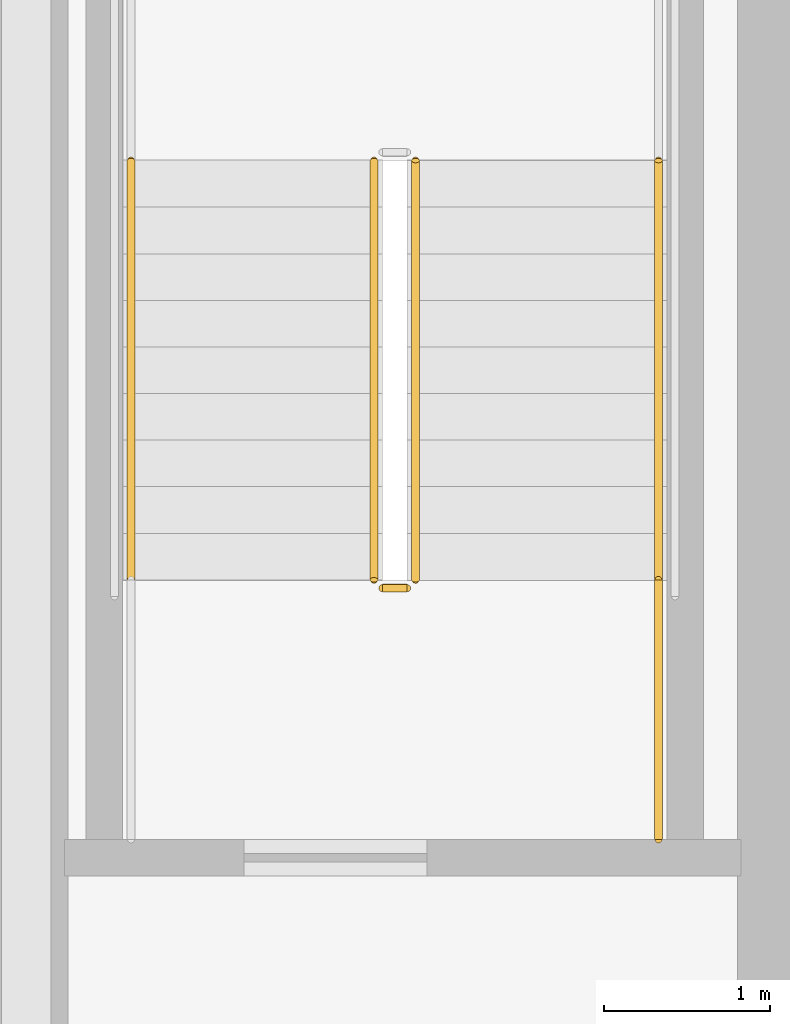
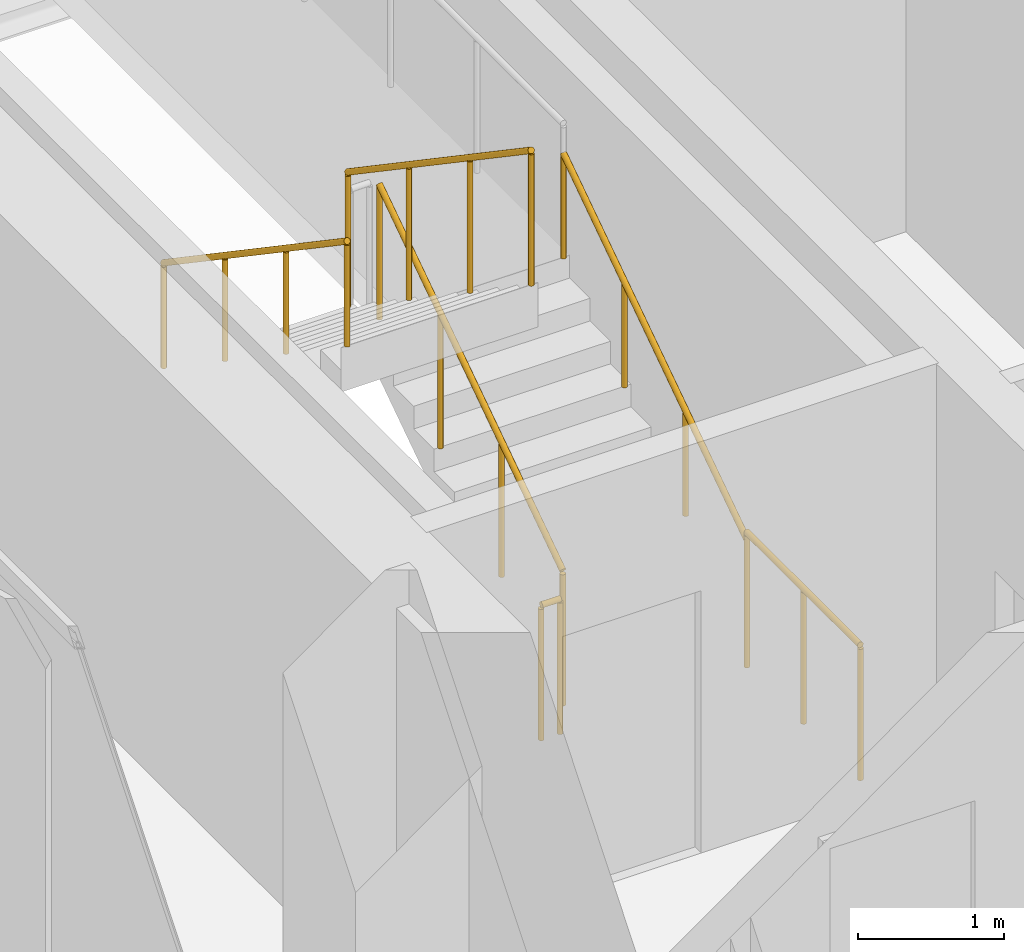
# One storey, part 14 of 17: 6 railings.
"""IFC4 building model written with IfcOpenShell, lengths in metres."""

import ifcopenshell
import ifcopenshell.guid

model = None  # the IFC model being written
_history = None  # IfcOwnerHistory: only IFC2X3 demands one
_inside = {}  # id of a spatial element -> (the spatial element, [elements in it])
_under = {}  # id of a project, library or spatial element -> (it, [spatial elements below it])
_declared = {}  # id of a project -> (the project, [libraries it declares])
_typed = {}  # id of a type object -> (the type object, [elements of that type])
_made_of = {}  # id of a material, layer set ... -> (it, [elements and type objects made of it])


def new_model(schema):
    """Start an empty IFC model of exactly this schema.

    Asked for "IFC4X3", IfcOpenShell would pick the latest addendum, in which some entities
    have other attributes; the version numbers below select the first issue.
    IFC2X3 requires an IfcOwnerHistory on every rooted entity: one is made here for all.
    """
    global model, _history
    if schema == "IFC4X3":
        model = ifcopenshell.file(schema_version=(4, 3, 0, 0))
    else:
        model = ifcopenshell.file(schema=schema)
    _inside.clear()
    _under.clear()
    _declared.clear()
    _typed.clear()
    _made_of.clear()
    _history = None
    if model.schema == "IFC2X3":
        org = make("IfcOrganization", Name="unknown")
        user = make(
            "IfcPersonAndOrganization",
            ThePerson=make("IfcPerson", FamilyName="unknown"),
            TheOrganization=org,
        )
        app = make(
            "IfcApplication",
            ApplicationDeveloper=org,
            Version="unknown",
            ApplicationFullName="unknown",
            ApplicationIdentifier="unknown",
        )
        _history = make(
            "IfcOwnerHistory",
            OwningUser=user,
            OwningApplication=app,
            ChangeAction="ADDED",
            CreationDate=0,
        )
    return model


def make(cls, **values):
    """One entity of the class cls with the attributes given. An attribute that is None is left unset."""
    return model.create_entity(
        cls, **{name: value for name, value in values.items() if value is not None}
    )


def rooted(cls, **values):
    """An entity with a GlobalId (a new one), such as an element, a storey or a relation."""
    return make(cls, GlobalId=ifcopenshell.guid.new(), OwnerHistory=_history, **values)


def si_unit(unit_type, name, prefix=None):
    """IfcSIUnit, for example si_unit("LENGTHUNIT", "METRE", prefix="MILLI")."""
    return make("IfcSIUnit", UnitType=unit_type, Prefix=prefix, Name=name)


def assignment(units):
    """IfcUnitAssignment: the units of a project."""
    return None if units is None else make("IfcUnitAssignment", Units=units)


def point(xyz):
    """IfcCartesianPoint."""
    return None if xyz is None else make("IfcCartesianPoint", Coordinates=xyz)


def direction(xyz):
    """IfcDirection."""
    return None if xyz is None else make("IfcDirection", DirectionRatios=xyz)


def frame(location, z_axis=None, x_axis=None):
    """IfcAxis2Placement3D, a coordinate frame: its origin and axes. An axis left out is left unset."""
    return make(
        "IfcAxis2Placement3D",
        Location=point(location),
        Axis=direction(z_axis),
        RefDirection=direction(x_axis),
    )


def frame_2d(location, x_axis=None):
    """IfcAxis2Placement2D, a coordinate frame in the plane: its origin and x axis."""
    return make(
        "IfcAxis2Placement2D", Location=point(location), RefDirection=direction(x_axis)
    )


def origin():
    """The frame at (0, 0, 0) with its axes left unset."""
    return frame((0.0, 0.0, 0.0))


def origin_2d():
    """The frame at (0, 0) in the plane with its x axis left unset."""
    return frame_2d((0.0, 0.0))


def place(relative_to, where):
    """IfcLocalPlacement: puts the frame where relative to a parent placement (None: the world)."""
    return make(
        "IfcLocalPlacement", PlacementRelTo=relative_to, RelativePlacement=where
    )


def context(
    kind, dimensions, precision=None, world=None, true_north=None, identifier=None
):
    """IfcGeometricRepresentationContext, for example the 3D "Model" context."""
    return make(
        "IfcGeometricRepresentationContext",
        ContextIdentifier=identifier,
        ContextType=kind,
        CoordinateSpaceDimension=dimensions,
        Precision=precision,
        WorldCoordinateSystem=world,
        TrueNorth=true_north,
    )


def subcontext(parent, identifier, kind, view, scale=None):
    """IfcGeometricRepresentationSubContext, for example "Body" below "Model"."""
    return make(
        "IfcGeometricRepresentationSubContext",
        ContextIdentifier=identifier,
        ContextType=kind,
        ParentContext=parent,
        TargetScale=scale,
        TargetView=view,
    )


def project(units=None, contexts=None):
    """IfcProject with its units and contexts."""
    return rooted(
        "IfcProject",
        Name="project",
        RepresentationContexts=contexts,
        UnitsInContext=assignment(units),
    )


def spatial(cls, under=None, at=None, **own):
    """A site, building, storey or space (cls), placed at a placement, below another one or the project."""
    s = rooted(cls, ObjectPlacement=at, **own)
    if under is not None:
        _under.setdefault(under.id(), (under, []))[1].append(s)
    return s


def profile(cls, at=None, kind="AREA", **sizes):
    """A parametric profile (cls). Its sizes go by their IFC names, for example OverallWidth=200.0."""
    return make(cls, ProfileType=kind, Position=at, **sizes)


def circle(**sizes):
    """IfcCircleProfileDef."""
    return profile("IfcCircleProfileDef", **sizes)


def extrude(swept, where, along, depth):
    """IfcExtrudedAreaSolid: the profile swept, set in the frame where, extruded along a direction by depth."""
    return make(
        "IfcExtrudedAreaSolid",
        SweptArea=swept,
        Position=where,
        ExtrudedDirection=direction(along),
        Depth=depth,
    )


def shape(context_of_items, identifier, shape_type, items):
    """IfcShapeRepresentation: the items that make up one representation, for example the "Body"."""
    return make(
        "IfcShapeRepresentation",
        ContextOfItems=context_of_items,
        RepresentationIdentifier=identifier,
        RepresentationType=shape_type,
        Items=items,
    )


def material(Name=None, Category=None):
    """IfcMaterial."""
    return make("IfcMaterial", Name=Name, Category=Category)


def made_of(thing, what):
    """Note that an element or type object is made of a material, layer set ...; save() writes the relation."""
    if what is not None:
        _made_of.setdefault(what.id(), (what, []))[1].append(thing)
    return thing


def type_object(cls, material=None, **own):
    """A type object (cls), such as IfcWallType, which elements share."""
    return made_of(rooted(cls, **own), material)


def element(
    cls,
    number,
    at=None,
    inside=None,
    cuts=None,
    type_object=None,
    material=None,
    context=None,
    identifier="Body",
    shape_type=None,
    held_by="IfcProductDefinitionShape",
    body=None,
    shapes=None,
    **own,
):
    """One element of the class cls, such as IfcWall. Its Tag is "e" and its number.

    at: its placement. inside: the storey or other place that contains it. cuts: it is an
    opening in that element (IfcRelVoidsElement). A single representation is given by context,
    identifier, shape_type and body (its items); several are given by shapes. held_by: the class
    of the entity that holds the representations. save() writes the other relations.
    """
    e = rooted(cls, Tag="e%d" % number, ObjectPlacement=at, **own)
    if body is not None:
        shapes = [shape(context, identifier, shape_type, body)]
    if shapes is not None:
        e.Representation = make(held_by, Representations=shapes)
    if inside is not None:
        _inside.setdefault(inside.id(), (inside, []))[1].append(e)
    if cuts is not None:
        rooted(
            "IfcRelVoidsElement", RelatingBuildingElement=cuts, RelatedOpeningElement=e
        )
    if type_object is not None:
        _typed.setdefault(type_object.id(), (type_object, []))[1].append(e)
    return made_of(e, material)


def aggregate(whole, parts):
    """IfcRelAggregates: a whole, such as a stair, and the parts it consists of."""
    return rooted("IfcRelAggregates", RelatingObject=whole, RelatedObjects=parts)


def save(model, path):
    """Write the relations noted so far, then the file.

    IfcRelAggregates (storeys below a building ...), IfcRelContainedInSpatialStructure (elements
    in a storey), IfcRelDefinesByType, IfcRelAssociatesMaterial and IfcRelDeclares: one each for
    every whole, place, type object, material and project.
    """
    for whole, parts in _under.values():
        aggregate(whole, parts)
    for where, things in _inside.values():
        rooted(
            "IfcRelContainedInSpatialStructure",
            RelatedElements=things,
            RelatingStructure=where,
        )
    for kind, things in _typed.values():
        rooted("IfcRelDefinesByType", RelatedObjects=things, RelatingType=kind)
    for what, things in _made_of.values():
        rooted("IfcRelAssociatesMaterial", RelatedObjects=things, RelatingMaterial=what)
    for by, libraries in _declared.values():
        rooted("IfcRelDeclares", RelatingContext=by, RelatedDefinitions=libraries)
    model.write(path)


model = new_model("IFC4")

# Units and contexts
model_context = context("Model", 3, precision=1e-05, world=origin(), true_north=direction((0.0, 1.0)))
body_context = subcontext(model_context, "Body", "Model", "MODEL_VIEW")
ifc_project = project(units=[si_unit("LENGTHUNIT", "METRE"), si_unit("AREAUNIT", "SQUARE_METRE"), si_unit("VOLUMEUNIT", "CUBIC_METRE"), si_unit("PLANEANGLEUNIT", "RADIAN"), si_unit("MASSUNIT", "GRAM", prefix="KILO")], contexts=[model_context])

# Site, building, storey
site_placement = place(None, origin())
site = spatial("IfcSite", under=ifc_project, at=site_placement, CompositionType="ELEMENT")
building_placement = place(site_placement, origin())
building = spatial("IfcBuilding", under=site, at=building_placement, Name="Khairoan Windgate Tower", CompositionType="ELEMENT")
storey_placement = place(building_placement, frame((0.0, 0.0, 210.60009765625)))
storey = spatial("IfcBuildingStorey", under=building, at=storey_placement, Name="L49", CompositionType="ELEMENT", Elevation=210.60009765625)

# Railings
ifc_material_1 = material(Name="Anodised Bronze Aluminium 6063-T6", Category="aluminium")
railing_type_1 = type_object("IfcRailingType", Name="Stair Wall Handrail SHR-900", PredefinedType="HANDRAIL", material=ifc_material_1)
railing_1_placement = place(storey_placement, frame((-16.199951171875, 2.9599609375, 0.18994140625)))
element("IfcRailing", 1, at=railing_1_placement, inside=storey, type_object=railing_type_1, Name="L49 ST2 stair handrail 1", PredefinedType="HANDRAIL", context=body_context, shape_type="SweptSolid", body=[
    extrude(circle(Radius=0.02392578125, at=origin_2d()), frame((0.0, 0.0, 0.8759765625), z_axis=(0.0, 0.827483756001, 0.561489655786), x_axis=(-1.0, 0.0, 0.0)), (0.0, 0.0, 1.0), 3.04541015625),
    extrude(circle(Radius=0.02099609375, at=origin_2d()), origin(), (0.0, 0.0, 1.0), 0.851806640625),
    extrude(circle(Radius=0.02099609375, at=origin_2d()), frame((0.0, 0.840087890625, 0.570068359375)), (0.0, 0.0, 1.0), 0.851806640625),
    extrude(circle(Radius=0.02099609375, at=origin_2d()), frame((0.0, 1.679931640625, 1.139892578125)), (0.0, 0.0, 1.0), 0.851806640625),
    extrude(circle(Radius=0.02099609375, at=origin_2d()), frame((0.0, 2.52001953125, 1.7099609375)), (0.0, 0.0, 1.0), 0.851806640625),
])
railing_2_placement = place(storey_placement, frame((-19.3701171875, 5.47998046875, 2.08984375)))
element("IfcRailing", 2, at=railing_2_placement, inside=storey, type_object=railing_type_1, Name="L49 ST2 stair handrail 2", PredefinedType="HANDRAIL", context=body_context, shape_type="SweptSolid", body=[
    extrude(circle(Radius=0.02392578125, at=origin_2d()), frame((0.0, 0.0, 0.8759765625), z_axis=(0.0, -0.827483756001, 0.561489655786), x_axis=(1.0, 0.0, 0.0)), (0.0, 0.0, 1.0), 3.04541015625),
    extrude(circle(Radius=0.02099609375, at=origin_2d()), origin(), (0.0, 0.0, 1.0), 0.851806640625),
    extrude(circle(Radius=0.02099609375, at=origin_2d()), frame((0.0, -0.840087890625, 0.570068359375)), (0.0, 0.0, 1.0), 0.851806640625),
    extrude(circle(Radius=0.02099609375, at=origin_2d()), frame((0.0, -1.679931640625, 1.139892578125)), (0.0, 0.0, 1.0), 0.851806640625),
    extrude(circle(Radius=0.02099609375, at=origin_2d()), frame((0.0, -2.52001953125, 1.7099609375)), (0.0, 0.0, 1.0), 0.851806640625),
])
ifc_material_2 = material(Name="Steel S355", Category="steel")
railing_type_2 = type_object("IfcRailingType", Name="Stairwell Safety Guardrail SGR-1150", PredefinedType="GUARDRAIL", material=ifc_material_2)
railing_3_placement = place(storey_placement, frame((-17.659912109375, 2.9599609375, 0.18994140625)))
element("IfcRailing", 3, at=railing_3_placement, inside=storey, type_object=railing_type_2, Name="L49 ST2 stair guard 1", PredefinedType="GUARDRAIL", context=body_context, shape_type="SweptSolid", body=[
    extrude(circle(Radius=0.02392578125, at=origin_2d()), frame((0.0, 0.0, 1.1259765625), z_axis=(0.0, 0.827483756001, 0.561489655786), x_axis=(-1.0, 0.0, 0.0)), (0.0, 0.0, 1.0), 3.04541015625),
    extrude(circle(Radius=0.02099609375, at=origin_2d()), origin(), (0.0, 0.0, 1.0), 1.101806640625),
    extrude(circle(Radius=0.02099609375, at=origin_2d()), frame((0.0, 0.840087890625, 0.570068359375)), (0.0, 0.0, 1.0), 1.101806640625),
    extrude(circle(Radius=0.02099609375, at=origin_2d()), frame((0.0, 1.679931640625, 1.139892578125)), (0.0, 0.0, 1.0), 1.101806640625),
    extrude(circle(Radius=0.02099609375, at=origin_2d()), frame((0.0, 2.52001953125, 1.7099609375)), (0.0, 0.0, 1.0), 1.101806640625),
])
railing_4_placement = place(storey_placement, frame((-17.909912109375, 5.47998046875, 2.08984375)))
element("IfcRailing", 4, at=railing_4_placement, inside=storey, type_object=railing_type_2, Name="L49 ST2 stair guard 6", PredefinedType="GUARDRAIL", context=body_context, shape_type="SweptSolid", body=[
    extrude(circle(Radius=0.02392578125, at=origin_2d()), frame((0.0, 0.0, 1.1259765625), z_axis=(0.0, -0.827483756001, 0.561489655786), x_axis=(1.0, 0.0, 0.0)), (0.0, 0.0, 1.0), 3.04541015625),
    extrude(circle(Radius=0.02099609375, at=origin_2d()), origin(), (0.0, 0.0, 1.0), 1.101806640625),
    extrude(circle(Radius=0.02099609375, at=origin_2d()), frame((0.0, -0.840087890625, 0.570068359375)), (0.0, 0.0, 1.0), 1.101806640625),
    extrude(circle(Radius=0.02099609375, at=origin_2d()), frame((0.0, -1.679931640625, 1.139892578125)), (0.0, 0.0, 1.0), 1.101806640625),
    extrude(circle(Radius=0.02099609375, at=origin_2d()), frame((0.0, -2.52001953125, 1.7099609375)), (0.0, 0.0, 1.0), 1.101806640625),
])
railing_5_placement = place(storey_placement, frame((-17.7099609375, 2.909912109375, 0.0)))
element("IfcRailing", 5, at=railing_5_placement, inside=storey, type_object=railing_type_2, Name="L49 ST2 stair guard 7", PredefinedType="GUARDRAIL", context=body_context, shape_type="SweptSolid", body=[
    extrude(circle(Radius=0.02392578125, at=origin_2d()), frame((0.0, 0.0, 1.1259765625), z_axis=(-1.0, 0.0, 0.0), x_axis=(0.0, -1.0, 0.0)), (0.0, 0.0, 1.0), 0.150146484375),
    extrude(circle(Radius=0.02099609375, at=origin_2d()), origin(), (0.0, 0.0, 1.0), 1.101806640625),
    extrude(circle(Radius=0.02099609375, at=origin_2d()), frame((-0.150146484375, 0.0, 0.0)), (0.0, 0.0, 1.0), 1.101806640625),
])
railing_6_placement = place(storey_placement, frame((-16.199951171875, 1.39990234375, 0.0)))
element("IfcRailing", 6, at=railing_6_placement, inside=storey, type_object=railing_type_2, Name="L49 ST2 stair guard 8", PredefinedType="GUARDRAIL", context=body_context, shape_type="SweptSolid", body=[
    extrude(circle(Radius=0.02392578125, at=origin_2d()), frame((0.0, 0.0, 1.1259765625), z_axis=(0.0, 1.0, 0.0), x_axis=(-1.0, 0.0, 0.0)), (0.0, 0.0, 1.0), 1.56005859375),
    extrude(circle(Radius=0.02099609375, at=origin_2d()), origin(), (0.0, 0.0, 1.0), 1.101806640625),
    extrude(circle(Radius=0.02099609375, at=origin_2d()), frame((0.0, 0.780029296875, 0.0)), (0.0, 0.0, 1.0), 1.101806640625),
    extrude(circle(Radius=0.02099609375, at=origin_2d()), frame((0.0, 1.56005859375, 0.0)), (0.0, 0.0, 1.0), 1.101806640625),
])

save(model, "model.ifc")
